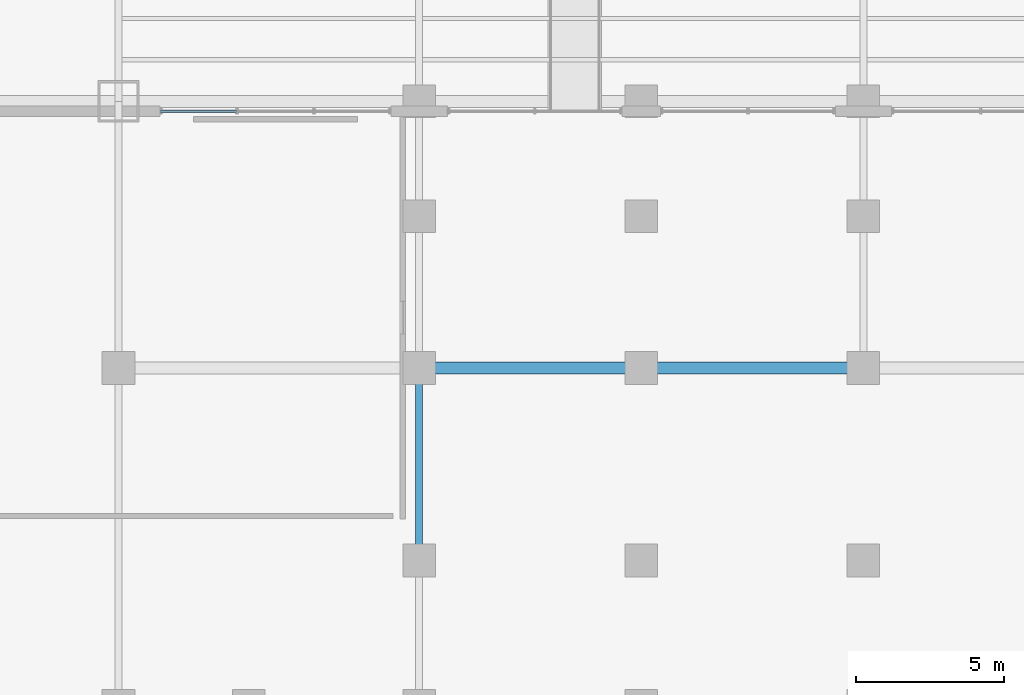
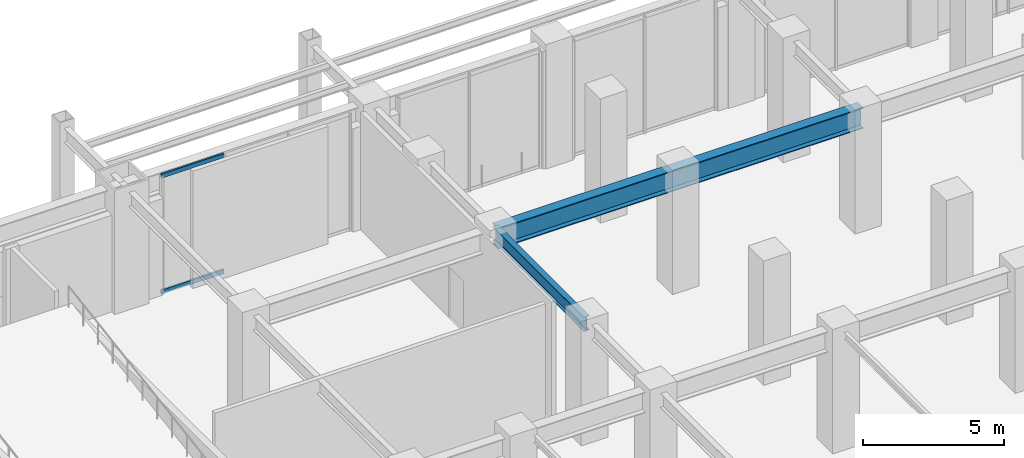
# One storey, part 4 of 23: 2 beams, 2 members, 1 element without a shape of its own.
"""IFC4 building model written with IfcOpenShell, lengths in metres."""

from ifc_helpers import new_model, si_unit, direction, frame, origin, origin_2d, place, context, subcontext, project, spatial, hollow_rectangle, i_section, extrude, material, material_profile, profile_set, type_object, element, aggregate, save


model = new_model("IFC4")

# Units and contexts
model_context = context("Model", 3, precision=1e-05, world=origin(), true_north=direction((0.0, 1.0)))
body_context = subcontext(model_context, "Body", "Model", "MODEL_VIEW")
ifc_project = project(units=[si_unit("LENGTHUNIT", "METRE"), si_unit("AREAUNIT", "SQUARE_METRE"), si_unit("VOLUMEUNIT", "CUBIC_METRE"), si_unit("PLANEANGLEUNIT", "RADIAN"), si_unit("MASSUNIT", "GRAM", prefix="KILO")], contexts=[model_context])

# Site, building, storey
site_placement = place(None, origin())
site = spatial("IfcSite", under=ifc_project, at=site_placement, CompositionType="ELEMENT")
building_placement = place(site_placement, origin())
building = spatial("IfcBuilding", under=site, at=building_placement, Name="Ventersveld Concourse Tower", CompositionType="ELEMENT")
storey_placement = place(building_placement, origin())
storey = spatial("IfcBuildingStorey", under=building, at=storey_placement, Name="L00", CompositionType="ELEMENT", Elevation=0.0)

# Curtain wall, members
ifc_material_1 = material(Name="Anodised aluminium EN AW-6063-T6", Category="aluminium")
curtain_wall_type = type_object("IfcCurtainWallType", Name="CW-CONC-1", PredefinedType="NOTDEFINED", material=ifc_material_1)
curtain_wall_placement = place(storey_placement, origin())
curtain_wall = element("IfcCurtainWall", 1, at=curtain_wall_placement, inside=storey, type_object=curtain_wall_type, Name="L00 Station Concourse North Storefront 1", PredefinedType="NOTDEFINED")
ifc_material_profile_1 = material_profile(ifc_material_1, hollow_rectangle(XDim=0.074951171875, YDim=0.179931640625, WallThickness=0.00390625, at=origin_2d()), Name="ALU 180x75x4")
ifc_profile_set_1 = profile_set([ifc_material_profile_1], Name="Anodised aluminium EN AW-6063-T6")
member_type = type_object("IfcMemberType", Name="CWT-180x75", PredefinedType="USERDEFINED", material=ifc_profile_set_1)
member_1_placement = place(storey_placement, frame((5.02001953125, 43.669921875, 0.030029296875), z_axis=(1.0, 0.0, 0.0), x_axis=(0.0, 1.0, 0.0)))
member_1 = element("IfcMember", 2, at=member_1_placement, type_object=member_type, Name="CW-L00-N1 Transom 1-01", ObjectType="TRANSOM", PredefinedType="USERDEFINED", context=body_context, shape_type="SweptSolid", body=[
    extrude(hollow_rectangle(XDim=0.074951171875, YDim=0.179931640625, WallThickness=0.00390625, at=origin_2d()), origin(), (0.0, 0.0, 1.0), 2.570068359375),
])
member_2_placement = place(storey_placement, frame((5.02001953125, 43.669921875, 5.070068359375), z_axis=(1.0, 0.0, 0.0), x_axis=(0.0, 1.0, 0.0)))
member_2 = element("IfcMember", 3, at=member_2_placement, type_object=member_type, Name="CW-L00-N1 Transom 2-01", ObjectType="TRANSOM", PredefinedType="USERDEFINED", context=body_context, shape_type="SweptSolid", body=[
    extrude(hollow_rectangle(XDim=0.074951171875, YDim=0.179931640625, WallThickness=0.00390625, at=origin_2d()), origin(), (0.0, 0.0, 1.0), 2.570068359375),
])
aggregate(curtain_wall, [member_1, member_2])

# Beams
ifc_material_2 = material(Name="Structural steel S355J2", Category="steel")
ifc_material_profile_2 = material_profile(ifc_material_2, i_section(OverallWidth=0.39990234375, OverallDepth=0.89990234375, WebThickness=0.02197265625, FlangeThickness=0.035888671875, at=origin_2d()), Name="PG 900x400x36")
ifc_profile_set_2 = profile_set([ifc_material_profile_2], Name="Structural steel S355J2")
beam_type_1 = type_object("IfcBeamType", Name="GRD-PG900", PredefinedType="USERDEFINED", material=ifc_profile_set_2)
beam_1_placement = place(storey_placement, frame((13.75, 35.0, 4.64990234375), z_axis=(1.0, 0.0, 0.0), x_axis=(0.0, 1.0, 0.0)))
element("IfcBeam", 4, at=beam_1_placement, inside=storey, type_object=beam_type_1, Name="L00 Podium Primary Girder Y=35.0m", ObjectType="GIRDER", PredefinedType="USERDEFINED", context=body_context, shape_type="SweptSolid", body=[
    extrude(i_section(OverallWidth=0.39990234375, OverallDepth=0.89990234375, WebThickness=0.02197265625, FlangeThickness=0.035888671875, at=origin_2d()), origin(), (0.0, 0.0, 1.0), 15.0),
])
ifc_material_profile_3 = material_profile(ifc_material_2, i_section(OverallWidth=0.230224609375, OverallDepth=0.6171875, WebThickness=0.01318359375, FlangeThickness=0.022216796875, FilletRadius=0.0126953125, at=origin_2d()), Name="UB 610x229x140")
ifc_profile_set_3 = profile_set([ifc_material_profile_3], Name="Structural steel S355J2")
beam_type_2 = type_object("IfcBeamType", Name="GRD-UB610", PredefinedType="USERDEFINED", material=ifc_profile_set_3)
beam_2_placement = place(storey_placement, frame((13.75, 28.5, 4.79150390625), z_axis=(0.0, 1.0, 0.0), x_axis=(-1.0, 0.0, 0.0)))
element("IfcBeam", 5, at=beam_2_placement, inside=storey, type_object=beam_type_2, Name="L00 Podium N-S Girder X=13.75m", ObjectType="GIRDER", PredefinedType="USERDEFINED", context=body_context, shape_type="SweptSolid", body=[
    extrude(i_section(OverallWidth=0.230224609375, OverallDepth=0.6171875, WebThickness=0.01318359375, FlangeThickness=0.022216796875, FilletRadius=0.0126953125, at=origin_2d()), origin(), (0.0, 0.0, 1.0), 6.5),
])

save(model, "model.ifc")
